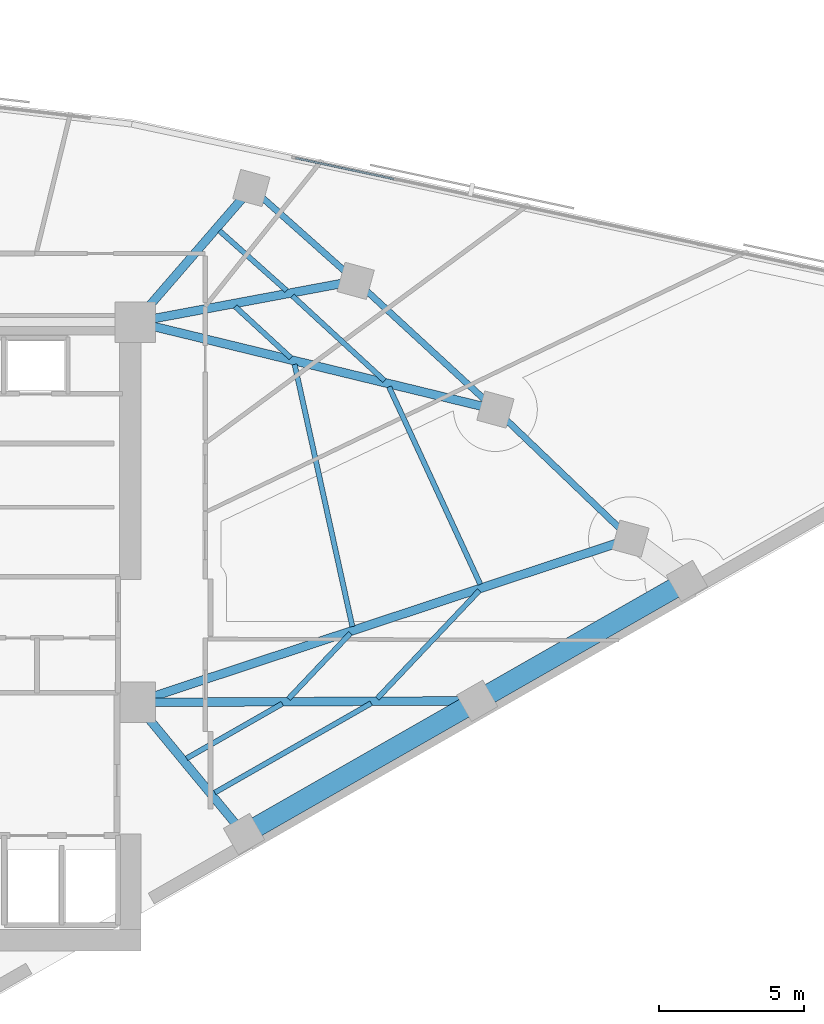
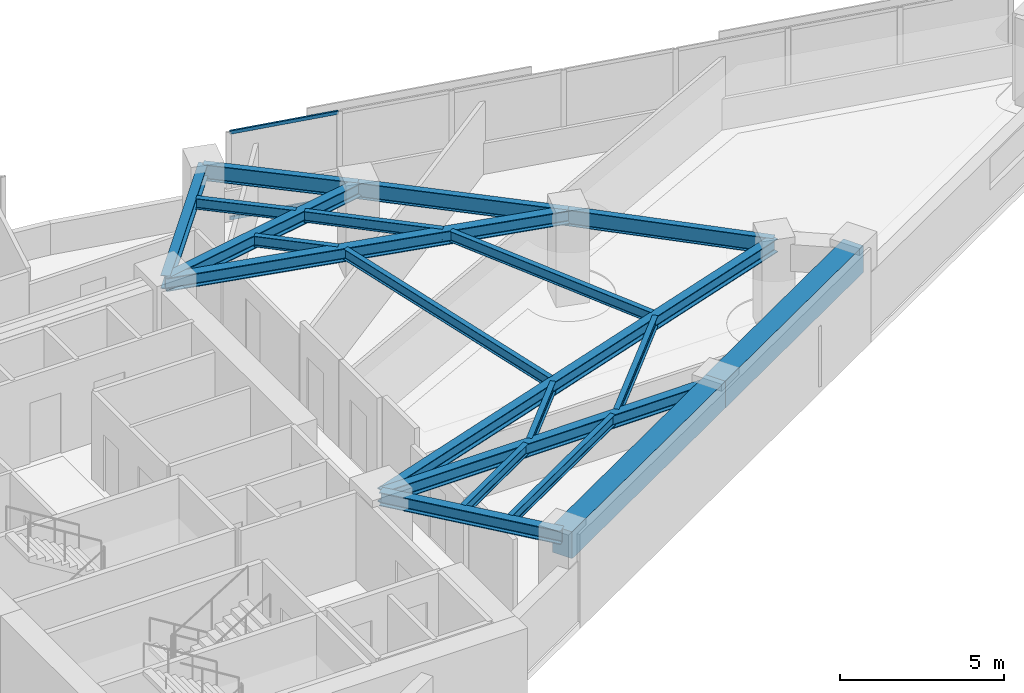
# One storey, part 3 of 14: 20 beams, 2 members, 1 element without a shape of its own.
"""IFC4 building model written with IfcOpenShell, lengths in metres."""

from ifc_helpers import new_model, si_unit, direction, frame, origin, origin_2d, place, context, subcontext, project, spatial, rectangle, hollow_rectangle, i_section, extrude, material, material_profile, profile_set, type_object, element, aggregate, save


model = new_model("IFC4")

# Units and contexts
model_context = context("Model", 3, precision=1e-05, world=origin(), true_north=direction((0.0, 1.0)))
body_context = subcontext(model_context, "Body", "Model", "MODEL_VIEW")
ifc_project = project(units=[si_unit("LENGTHUNIT", "METRE"), si_unit("AREAUNIT", "SQUARE_METRE"), si_unit("VOLUMEUNIT", "CUBIC_METRE"), si_unit("PLANEANGLEUNIT", "RADIAN"), si_unit("MASSUNIT", "GRAM", prefix="KILO")], contexts=[model_context])

# Site, building, storey
site_placement = place(None, origin())
site = spatial("IfcSite", under=ifc_project, at=site_placement, CompositionType="ELEMENT")
building_placement = place(site_placement, origin())
building = spatial("IfcBuilding", under=site, at=building_placement, Name="Narakoshi Arena Tower", CompositionType="ELEMENT")
storey_placement = place(building_placement, frame((0.0, 0.0, 204.419921875)))
storey = spatial("IfcBuildingStorey", under=building, at=storey_placement, Name="L55", CompositionType="ELEMENT", Elevation=204.419921875)

# Beams
ifc_material_1 = material(Name="Concrete C60/75", Category="concrete")
ifc_material_profile_1 = material_profile(ifc_material_1, rectangle(XDim=0.699951171875, YDim=1.0, at=origin_2d()), Name="RCB700x1000")
ifc_profile_set_1 = profile_set([ifc_material_profile_1], Name="Concrete C60/75")
beam_type_1 = type_object("IfcBeamType", Name="BM-CPL-1000", PredefinedType="BEAM", material=ifc_profile_set_1)
beam_1_placement = place(storey_placement, frame((89.30810546875, 38.798583984375, 2.760009765625), z_axis=(0.868201055882, 0.496212582031, 0.0), x_axis=(-0.496212582031, 0.868201055882, 0.0)))
element("IfcBeam", 1, at=beam_1_placement, inside=storey, type_object=beam_type_1, Name="L55 Perimeter Edge Girder 01", PredefinedType="BEAM", context=body_context, shape_type="SweptSolid", body=[
    extrude(rectangle(XDim=0.699951171875, YDim=1.0, at=origin_2d()), origin(), (0.0, 0.0, 1.0), 9.2822265625),
])
beam_2_placement = place(storey_placement, frame((97.366943359375, 43.404541015625, 2.760009765625), z_axis=(0.868192782093, 0.49622705803, 0.0), x_axis=(-0.49622705803, 0.868192782093, 0.0)))
element("IfcBeam", 2, at=beam_2_placement, inside=storey, type_object=beam_type_1, Name="L55 Perimeter Edge Girder 02", PredefinedType="BEAM", context=body_context, shape_type="SweptSolid", body=[
    extrude(rectangle(XDim=0.699951171875, YDim=1.0, at=origin_2d()), origin(), (0.0, 0.0, 1.0), 8.35400390625),
])
ifc_material_2 = material(Name="Structural steel S355J2", Category="steel")
ifc_material_profile_2 = material_profile(ifc_material_2, i_section(OverallWidth=0.219970703125, OverallDepth=0.60009765625, WebThickness=0.011962890625, FlangeThickness=0.01904296875, FilletRadius=0.02392578125, at=origin_2d()), Name="IPE600")
ifc_profile_set_2 = profile_set([ifc_material_profile_2], Name="Structural steel S355J2")
beam_type_2 = type_object("IfcBeamType", Name="BM-EDGE-600", PredefinedType="BEAM", material=ifc_profile_set_2)
beam_3_placement = place(storey_placement, frame((102.668701171875, 49.009521484375, 2.9599609375), z_axis=(-0.722814960544, 0.691041628858, 0.0), x_axis=(-0.691041628858, -0.722814960544, 0.0)))
element("IfcBeam", 3, at=beam_3_placement, inside=storey, type_object=beam_type_2, Name="L55 Perimeter Edge Girder 04", PredefinedType="BEAM", context=body_context, shape_type="SweptSolid", body=[
    extrude(i_section(OverallWidth=0.219970703125, OverallDepth=0.60009765625, WebThickness=0.011962890625, FlangeThickness=0.01904296875, FilletRadius=0.02392578125, at=origin_2d()), origin(), (0.0, 0.0, 1.0), 6.462158203125),
])
beam_4_placement = place(storey_placement, frame((97.997802734375, 53.47509765625, 2.9599609375), z_axis=(-0.735632357906, 0.677381010954, 0.0), x_axis=(-0.677381010954, -0.735632357906, 0.0)))
element("IfcBeam", 4, at=beam_4_placement, inside=storey, type_object=beam_type_2, Name="L55 Perimeter Edge Girder 05", PredefinedType="BEAM", context=body_context, shape_type="SweptSolid", body=[
    extrude(i_section(OverallWidth=0.219970703125, OverallDepth=0.60009765625, WebThickness=0.011962890625, FlangeThickness=0.01904296875, FilletRadius=0.02392578125, at=origin_2d()), origin(), (0.0, 0.0, 1.0), 6.567626953125),
])
beam_5_placement = place(storey_placement, frame((93.16650390625, 57.923828125, 2.9599609375), z_axis=(-0.746739302131, 0.665116842857, 0.0), x_axis=(-0.665116842857, -0.746739302131, 0.0)))
element("IfcBeam", 5, at=beam_5_placement, inside=storey, type_object=beam_type_2, Name="L55 Perimeter Edge Girder 06", PredefinedType="BEAM", context=body_context, shape_type="SweptSolid", body=[
    extrude(i_section(OverallWidth=0.219970703125, OverallDepth=0.60009765625, WebThickness=0.011962890625, FlangeThickness=0.01904296875, FilletRadius=0.02392578125, at=origin_2d()), origin(), (0.0, 0.0, 1.0), 4.82763671875),
])
ifc_material_profile_3 = material_profile(ifc_material_2, i_section(OverallWidth=0.300048828125, OverallDepth=0.5, WebThickness=0.014404296875, FlangeThickness=0.028076171875, FilletRadius=0.027099609375, at=origin_2d()), Name="HE500B")
ifc_profile_set_3 = profile_set([ifc_material_profile_3], Name="Structural steel S355J2")
beam_type_3 = type_object("IfcBeamType", Name="BM-PRI-500", PredefinedType="BEAM", material=ifc_profile_set_3)
beam_6_placement = place(storey_placement, frame((85.550048828125, 43.35009765625, 3.010009765625), z_axis=(0.63669116064, -0.771118905204, 0.0), x_axis=(0.771118905204, 0.63669116064, 0.0)))
element("IfcBeam", 6, at=beam_6_placement, inside=storey, type_object=beam_type_3, Name="L55 Radial Primary Floor Girder 01", PredefinedType="BEAM", context=body_context, shape_type="SweptSolid", body=[
    extrude(i_section(OverallWidth=0.300048828125, OverallDepth=0.5, WebThickness=0.014404296875, FlangeThickness=0.028076171875, FilletRadius=0.027099609375, at=origin_2d()), origin(), (0.0, 0.0, 1.0), 5.902587890625),
])
beam_7_placement = place(storey_placement, frame((85.550048828125, 43.35009765625, 3.010009765625), z_axis=(0.999989386804, 0.004607198737, 0.0), x_axis=(-0.004607198737, 0.999989386804, 0.0)))
element("IfcBeam", 7, at=beam_7_placement, inside=storey, type_object=beam_type_3, Name="L55 Radial Primary Floor Girder 02", PredefinedType="BEAM", context=body_context, shape_type="SweptSolid", body=[
    extrude(i_section(OverallWidth=0.300048828125, OverallDepth=0.5, WebThickness=0.014404296875, FlangeThickness=0.028076171875, FilletRadius=0.027099609375, at=origin_2d()), origin(), (0.0, 0.0, 1.0), 11.817138671875),
])
beam_8_placement = place(storey_placement, frame((85.550048828125, 43.35009765625, 3.010009765625), z_axis=(0.949459022771, 0.313891006687, 0.0), x_axis=(-0.313891006687, 0.949459022771, 0.0)))
element("IfcBeam", 8, at=beam_8_placement, inside=storey, type_object=beam_type_3, Name="L55 Radial Primary Floor Girder 04", PredefinedType="BEAM", context=body_context, shape_type="SweptSolid", body=[
    extrude(i_section(OverallWidth=0.300048828125, OverallDepth=0.5, WebThickness=0.014404296875, FlangeThickness=0.028076171875, FilletRadius=0.027099609375, at=origin_2d()), origin(), (0.0, 0.0, 1.0), 18.02978515625),
])
beam_9_placement = place(storey_placement, frame((85.550048828125, 56.5, 3.010009765625), z_axis=(0.971720101952, -0.236135646318, 0.0), x_axis=(0.236135646318, 0.971720101952, 0.0)))
element("IfcBeam", 9, at=beam_9_placement, inside=storey, type_object=beam_type_3, Name="L55 Radial Primary Floor Girder 05", PredefinedType="BEAM", context=body_context, shape_type="SweptSolid", body=[
    extrude(i_section(OverallWidth=0.300048828125, OverallDepth=0.5, WebThickness=0.014404296875, FlangeThickness=0.028076171875, FilletRadius=0.027099609375, at=origin_2d()), origin(), (0.0, 0.0, 1.0), 12.81005859375),
])
beam_10_placement = place(storey_placement, frame((85.550048828125, 56.5, 3.010009765625), z_axis=(0.982971563011, 0.183757738099, 0.0), x_axis=(-0.183757738099, 0.982971563011, 0.0)))
element("IfcBeam", 10, at=beam_10_placement, inside=storey, type_object=beam_type_3, Name="L55 Radial Primary Floor Girder 06", PredefinedType="BEAM", context=body_context, shape_type="SweptSolid", body=[
    extrude(i_section(OverallWidth=0.300048828125, OverallDepth=0.5, WebThickness=0.014404296875, FlangeThickness=0.028076171875, FilletRadius=0.027099609375, at=origin_2d()), origin(), (0.0, 0.0, 1.0), 7.748291015625),
])
beam_11_placement = place(storey_placement, frame((85.550048828125, 56.5, 3.010009765625), z_axis=(0.654434553487, 0.756118651537, 0.0), x_axis=(-0.756118651537, 0.654434553487, 0.0)))
element("IfcBeam", 11, at=beam_11_placement, inside=storey, type_object=beam_type_3, Name="L55 Radial Primary Floor Girder 07", PredefinedType="BEAM", context=body_context, shape_type="SweptSolid", body=[
    extrude(i_section(OverallWidth=0.300048828125, OverallDepth=0.5, WebThickness=0.014404296875, FlangeThickness=0.028076171875, FilletRadius=0.027099609375, at=origin_2d()), origin(), (0.0, 0.0, 1.0), 6.129638671875),
])
ifc_material_profile_4 = material_profile(ifc_material_2, i_section(OverallWidth=0.179931640625, OverallDepth=0.39990234375, WebThickness=0.008544921875, FlangeThickness=0.013427734375, FilletRadius=0.02099609375, at=origin_2d()), Name="IPE400")
ifc_profile_set_4 = profile_set([ifc_material_profile_4], Name="Structural steel S355J2")
beam_type_4 = type_object("IfcBeamType", Name="BM-SEC-400", PredefinedType="JOIST", material=ifc_profile_set_4)
beam_12_placement = place(storey_placement, frame((87.32080078125, 41.414306640625, 3.06005859375), z_axis=(0.868195867723, 0.496221659411, 0.0), x_axis=(-0.496221659411, 0.868195867723, 0.0)))
element("IfcBeam", 12, at=beam_12_placement, inside=storey, type_object=beam_type_4, Name="L55 Composite Secondary Floor Joist 01", PredefinedType="JOIST", context=body_context, shape_type="SweptSolid", body=[
    extrude(i_section(OverallWidth=0.179931640625, OverallDepth=0.39990234375, WebThickness=0.008544921875, FlangeThickness=0.013427734375, FilletRadius=0.02099609375, at=origin_2d()), origin(), (0.0, 0.0, 1.0), 3.81396484375),
])
beam_13_placement = place(storey_placement, frame((88.2978515625, 40.23095703125, 3.06005859375), z_axis=(0.8681900623, 0.496231816517, 0.0), x_axis=(-0.496231816517, 0.8681900623, 0.0)))
element("IfcBeam", 13, at=beam_13_placement, inside=storey, type_object=beam_type_4, Name="L55 Composite Secondary Floor Joist 02", PredefinedType="JOIST", context=body_context, shape_type="SweptSolid", body=[
    extrude(i_section(OverallWidth=0.179931640625, OverallDepth=0.39990234375, WebThickness=0.008544921875, FlangeThickness=0.013427734375, FilletRadius=0.02099609375, at=origin_2d()), origin(), (0.0, 0.0, 1.0), 6.2275390625),
])
beam_14_placement = place(storey_placement, frame((90.84228515625, 43.47216796875, 3.06005859375), z_axis=(0.687183136643, 0.726484230189, 0.0), x_axis=(-0.726484230189, 0.687183136643, 0.0)))
element("IfcBeam", 14, at=beam_14_placement, inside=storey, type_object=beam_type_4, Name="L55 Composite Secondary Floor Joist 03", PredefinedType="JOIST", context=body_context, shape_type="SweptSolid", body=[
    extrude(i_section(OverallWidth=0.179931640625, OverallDepth=0.39990234375, WebThickness=0.008544921875, FlangeThickness=0.013427734375, FilletRadius=0.02099609375, at=origin_2d()), origin(), (0.0, 0.0, 1.0), 3.124755859375),
])
beam_15_placement = place(storey_placement, frame((93.91455078125, 43.486328125, 3.06005859375), z_axis=(0.687205962341, 0.726462638628, 0.0), x_axis=(-0.726462638628, 0.687205962341, 0.0)))
element("IfcBeam", 15, at=beam_15_placement, inside=storey, type_object=beam_type_4, Name="L55 Composite Secondary Floor Joist 04", PredefinedType="JOIST", context=body_context, shape_type="SweptSolid", body=[
    extrude(i_section(OverallWidth=0.179931640625, OverallDepth=0.39990234375, WebThickness=0.008544921875, FlangeThickness=0.013427734375, FilletRadius=0.02099609375, at=origin_2d()), origin(), (0.0, 0.0, 1.0), 5.130859375),
])
beam_16_placement = place(storey_placement, frame((93.05322265625, 45.971923828125, 3.06005859375), z_axis=(-0.215142244311, 0.976582722924, 0.0), x_axis=(-0.976582722924, -0.215142244311, 0.0)))
element("IfcBeam", 16, at=beam_16_placement, inside=storey, type_object=beam_type_4, Name="L55 Composite Secondary Floor Joist 05", PredefinedType="JOIST", context=body_context, shape_type="SweptSolid", body=[
    extrude(i_section(OverallWidth=0.179931640625, OverallDepth=0.39990234375, WebThickness=0.008544921875, FlangeThickness=0.013427734375, FilletRadius=0.02099609375, at=origin_2d()), origin(), (0.0, 0.0, 1.0), 9.282470703125),
])
beam_17_placement = place(storey_placement, frame((97.4765625, 47.43408203125, 3.06005859375), z_axis=(-0.419696271228, 0.907664607615, 0.0), x_axis=(-0.907664607615, -0.419696271228, 0.0)))
element("IfcBeam", 17, at=beam_17_placement, inside=storey, type_object=beam_type_4, Name="L55 Composite Secondary Floor Joist 06", PredefinedType="JOIST", context=body_context, shape_type="SweptSolid", body=[
    extrude(i_section(OverallWidth=0.179931640625, OverallDepth=0.39990234375, WebThickness=0.008544921875, FlangeThickness=0.013427734375, FilletRadius=0.02099609375, at=origin_2d()), origin(), (0.0, 0.0, 1.0), 7.520263671875),
])
beam_18_placement = place(storey_placement, frame((90.927734375, 55.260498046875, 3.06005859375), z_axis=(-0.735628197446, 0.677385529166, 0.0), x_axis=(-0.677385529166, -0.735628197446, 0.0)))
element("IfcBeam", 18, at=beam_18_placement, inside=storey, type_object=beam_type_4, Name="L55 Composite Secondary Floor Joist 07", PredefinedType="JOIST", context=body_context, shape_type="SweptSolid", body=[
    extrude(i_section(OverallWidth=0.179931640625, OverallDepth=0.39990234375, WebThickness=0.008544921875, FlangeThickness=0.013427734375, FilletRadius=0.02099609375, at=origin_2d()), origin(), (0.0, 0.0, 1.0), 2.619873046875),
])
beam_19_placement = place(storey_placement, frame((94.164306640625, 54.47412109375, 3.06005859375), z_axis=(-0.735672341295, 0.677337586624, 0.0), x_axis=(-0.677337586624, -0.735672341295, 0.0)))
element("IfcBeam", 19, at=beam_19_placement, inside=storey, type_object=beam_type_4, Name="L55 Composite Secondary Floor Joist 08", PredefinedType="JOIST", context=body_context, shape_type="SweptSolid", body=[
    extrude(i_section(OverallWidth=0.179931640625, OverallDepth=0.39990234375, WebThickness=0.008544921875, FlangeThickness=0.013427734375, FilletRadius=0.02099609375, at=origin_2d()), origin(), (0.0, 0.0, 1.0), 4.327392578125),
])
beam_20_placement = place(storey_placement, frame((90.78076171875, 57.58642578125, 3.06005859375), z_axis=(-0.746720111739, 0.665138387649, 0.0), x_axis=(-0.665138387649, -0.746720111739, 0.0)))
element("IfcBeam", 20, at=beam_20_placement, inside=storey, type_object=beam_type_4, Name="L55 Composite Secondary Floor Joist 09", PredefinedType="JOIST", context=body_context, shape_type="SweptSolid", body=[
    extrude(i_section(OverallWidth=0.179931640625, OverallDepth=0.39990234375, WebThickness=0.008544921875, FlangeThickness=0.013427734375, FilletRadius=0.02099609375, at=origin_2d()), origin(), (0.0, 0.0, 1.0), 3.109375),
])

# Curtain wall, members
ifc_material_3 = material(Name="Anodised bronze aluminium 6063-T6", Category="aluminium")
curtain_wall_type = type_object("IfcCurtainWallType", Name="CW-HYP-MID", PredefinedType="NOTDEFINED", material=ifc_material_3)
curtain_wall_placement = place(storey_placement, origin())
curtain_wall = element("IfcCurtainWall", 21, at=curtain_wall_placement, inside=storey, type_object=curtain_wall_type, Name="L55 Folded Hypotenuse Curtain Wall 1-1", PredefinedType="NOTDEFINED")
ifc_material_profile_5 = material_profile(ifc_material_3, hollow_rectangle(XDim=0.06494140625, YDim=0.1298828125, WallThickness=0.00390625, OuterFilletRadius=0.0048828125, at=origin_2d()), Name="TRN130x65x4")
ifc_profile_set_5 = profile_set([ifc_material_profile_5], Name="Anodised bronze aluminium 6063-T6")
member_type = type_object("IfcMemberType", Name="MEM-TRN-130", PredefinedType="USERDEFINED", material=ifc_profile_set_5)
member_1_placement = place(storey_placement, frame((94.4892578125, 61.442138671875, 0.032470703125), z_axis=(-0.977945872942, 0.208858491797, 0.0), x_axis=(-0.208858491797, -0.977945872942, 0.0)))
member_1 = element("IfcMember", 22, at=member_1_placement, type_object=member_type, Name="CW-02 transom 7.1", ObjectType="TRANSOM", PredefinedType="USERDEFINED", context=body_context, shape_type="SweptSolid", body=[
    extrude(hollow_rectangle(XDim=0.06494140625, YDim=0.1298828125, WallThickness=0.00390625, OuterFilletRadius=0.0048828125, at=origin_2d()), origin(), (0.0, 0.0, 1.0), 3.48095703125),
])
member_2_placement = place(storey_placement, frame((94.4892578125, 61.442138671875, 3.2275390625), z_axis=(-0.977945872942, 0.208858491797, 0.0), x_axis=(-0.208858491797, -0.977945872942, 0.0)))
member_2 = element("IfcMember", 23, at=member_2_placement, type_object=member_type, Name="CW-02 transom 7.2", ObjectType="TRANSOM", PredefinedType="USERDEFINED", context=body_context, shape_type="SweptSolid", body=[
    extrude(hollow_rectangle(XDim=0.06494140625, YDim=0.1298828125, WallThickness=0.00390625, OuterFilletRadius=0.0048828125, at=origin_2d()), origin(), (0.0, 0.0, 1.0), 3.48095703125),
])
aggregate(curtain_wall, [member_1, member_2])

save(model, "model.ifc")
